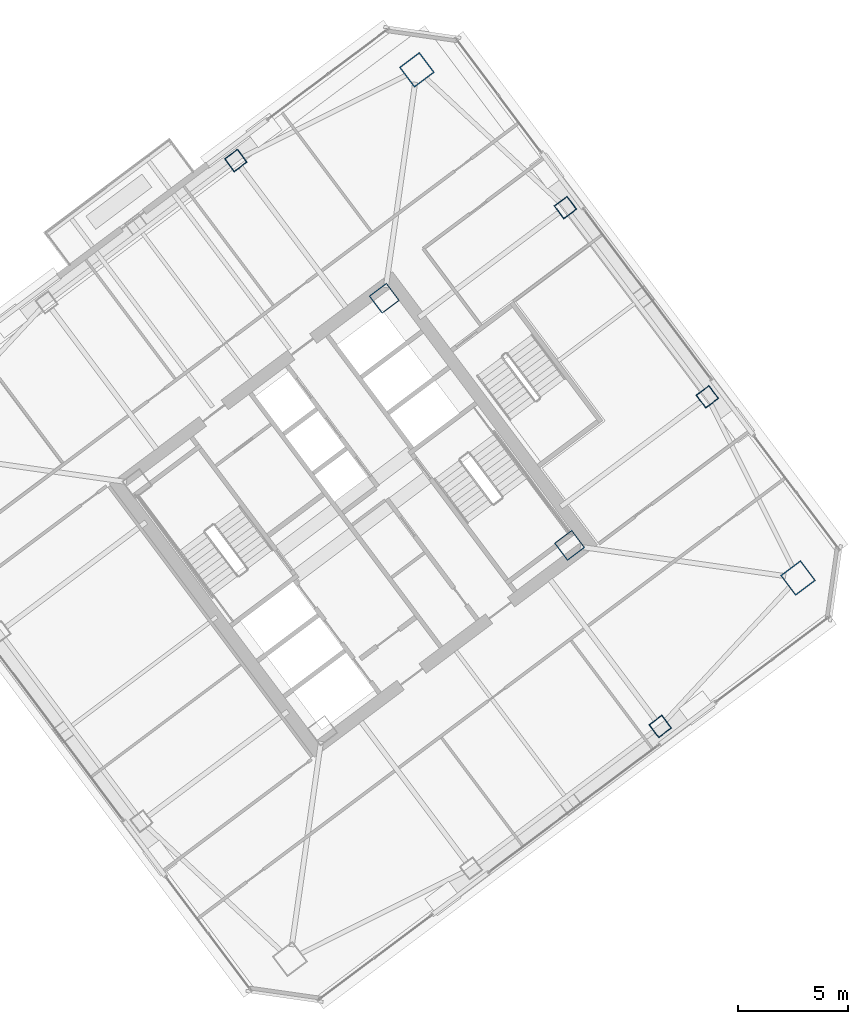
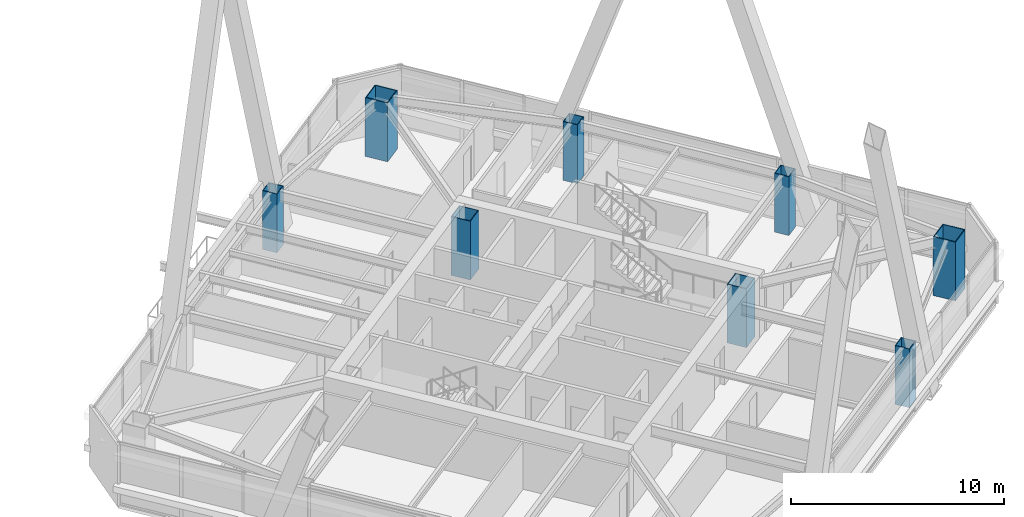
# One storey, part 2 of 55: 8 columns.
"""IFC4 building model written with IfcOpenShell, lengths in metres."""

import ifcopenshell
import ifcopenshell.guid

model = None  # the IFC model being written
_history = None  # IfcOwnerHistory: only IFC2X3 demands one
_inside = {}  # id of a spatial element -> (the spatial element, [elements in it])
_under = {}  # id of a project, library or spatial element -> (it, [spatial elements below it])
_declared = {}  # id of a project -> (the project, [libraries it declares])
_typed = {}  # id of a type object -> (the type object, [elements of that type])
_made_of = {}  # id of a material, layer set ... -> (it, [elements and type objects made of it])


def new_model(schema):
    """Start an empty IFC model of exactly this schema.

    Asked for "IFC4X3", IfcOpenShell would pick the latest addendum, in which some entities
    have other attributes; the version numbers below select the first issue.
    IFC2X3 requires an IfcOwnerHistory on every rooted entity: one is made here for all.
    """
    global model, _history
    if schema == "IFC4X3":
        model = ifcopenshell.file(schema_version=(4, 3, 0, 0))
    else:
        model = ifcopenshell.file(schema=schema)
    _inside.clear()
    _under.clear()
    _declared.clear()
    _typed.clear()
    _made_of.clear()
    _history = None
    if model.schema == "IFC2X3":
        org = make("IfcOrganization", Name="unknown")
        user = make(
            "IfcPersonAndOrganization",
            ThePerson=make("IfcPerson", FamilyName="unknown"),
            TheOrganization=org,
        )
        app = make(
            "IfcApplication",
            ApplicationDeveloper=org,
            Version="unknown",
            ApplicationFullName="unknown",
            ApplicationIdentifier="unknown",
        )
        _history = make(
            "IfcOwnerHistory",
            OwningUser=user,
            OwningApplication=app,
            ChangeAction="ADDED",
            CreationDate=0,
        )
    return model


def make(cls, **values):
    """One entity of the class cls with the attributes given. An attribute that is None is left unset."""
    return model.create_entity(
        cls, **{name: value for name, value in values.items() if value is not None}
    )


def rooted(cls, **values):
    """An entity with a GlobalId (a new one), such as an element, a storey or a relation."""
    return make(cls, GlobalId=ifcopenshell.guid.new(), OwnerHistory=_history, **values)


def si_unit(unit_type, name, prefix=None):
    """IfcSIUnit, for example si_unit("LENGTHUNIT", "METRE", prefix="MILLI")."""
    return make("IfcSIUnit", UnitType=unit_type, Prefix=prefix, Name=name)


def assignment(units):
    """IfcUnitAssignment: the units of a project."""
    return None if units is None else make("IfcUnitAssignment", Units=units)


def point(xyz):
    """IfcCartesianPoint."""
    return None if xyz is None else make("IfcCartesianPoint", Coordinates=xyz)


def direction(xyz):
    """IfcDirection."""
    return None if xyz is None else make("IfcDirection", DirectionRatios=xyz)


def frame(location, z_axis=None, x_axis=None):
    """IfcAxis2Placement3D, a coordinate frame: its origin and axes. An axis left out is left unset."""
    return make(
        "IfcAxis2Placement3D",
        Location=point(location),
        Axis=direction(z_axis),
        RefDirection=direction(x_axis),
    )


def frame_2d(location, x_axis=None):
    """IfcAxis2Placement2D, a coordinate frame in the plane: its origin and x axis."""
    return make(
        "IfcAxis2Placement2D", Location=point(location), RefDirection=direction(x_axis)
    )


def origin():
    """The frame at (0, 0, 0) with its axes left unset."""
    return frame((0.0, 0.0, 0.0))


def origin_2d():
    """The frame at (0, 0) in the plane with its x axis left unset."""
    return frame_2d((0.0, 0.0))


def place(relative_to, where):
    """IfcLocalPlacement: puts the frame where relative to a parent placement (None: the world)."""
    return make(
        "IfcLocalPlacement", PlacementRelTo=relative_to, RelativePlacement=where
    )


def context(
    kind, dimensions, precision=None, world=None, true_north=None, identifier=None
):
    """IfcGeometricRepresentationContext, for example the 3D "Model" context."""
    return make(
        "IfcGeometricRepresentationContext",
        ContextIdentifier=identifier,
        ContextType=kind,
        CoordinateSpaceDimension=dimensions,
        Precision=precision,
        WorldCoordinateSystem=world,
        TrueNorth=true_north,
    )


def subcontext(parent, identifier, kind, view, scale=None):
    """IfcGeometricRepresentationSubContext, for example "Body" below "Model"."""
    return make(
        "IfcGeometricRepresentationSubContext",
        ContextIdentifier=identifier,
        ContextType=kind,
        ParentContext=parent,
        TargetScale=scale,
        TargetView=view,
    )


def project(units=None, contexts=None):
    """IfcProject with its units and contexts."""
    return rooted(
        "IfcProject",
        Name="project",
        RepresentationContexts=contexts,
        UnitsInContext=assignment(units),
    )


def spatial(cls, under=None, at=None, **own):
    """A site, building, storey or space (cls), placed at a placement, below another one or the project."""
    s = rooted(cls, ObjectPlacement=at, **own)
    if under is not None:
        _under.setdefault(under.id(), (under, []))[1].append(s)
    return s


def profile(cls, at=None, kind="AREA", **sizes):
    """A parametric profile (cls). Its sizes go by their IFC names, for example OverallWidth=200.0."""
    return make(cls, ProfileType=kind, Position=at, **sizes)


def hollow_rectangle(**sizes):
    """IfcRectangleHollowProfileDef."""
    return profile("IfcRectangleHollowProfileDef", **sizes)


def extrude(swept, where, along, depth):
    """IfcExtrudedAreaSolid: the profile swept, set in the frame where, extruded along a direction by depth."""
    return make(
        "IfcExtrudedAreaSolid",
        SweptArea=swept,
        Position=where,
        ExtrudedDirection=direction(along),
        Depth=depth,
    )


def shape(context_of_items, identifier, shape_type, items):
    """IfcShapeRepresentation: the items that make up one representation, for example the "Body"."""
    return make(
        "IfcShapeRepresentation",
        ContextOfItems=context_of_items,
        RepresentationIdentifier=identifier,
        RepresentationType=shape_type,
        Items=items,
    )


def material(Name=None, Category=None):
    """IfcMaterial."""
    return make("IfcMaterial", Name=Name, Category=Category)


def material_profile(
    of_material, cross_section, Name=None, Category=None, Priority=None
):
    """IfcMaterialProfile: a cross section and its material."""
    return make(
        "IfcMaterialProfile",
        Name=Name,
        Material=of_material,
        Profile=cross_section,
        Priority=Priority,
        Category=Category,
    )


def profile_set(profiles, Name=None, composite=None):
    """IfcMaterialProfileSet."""
    return make(
        "IfcMaterialProfileSet",
        Name=Name,
        MaterialProfiles=profiles,
        CompositeProfile=composite,
    )


def made_of(thing, what):
    """Note that an element or type object is made of a material, layer set ...; save() writes the relation."""
    if what is not None:
        _made_of.setdefault(what.id(), (what, []))[1].append(thing)
    return thing


def type_object(cls, material=None, **own):
    """A type object (cls), such as IfcWallType, which elements share."""
    return made_of(rooted(cls, **own), material)


def element(
    cls,
    number,
    at=None,
    inside=None,
    cuts=None,
    type_object=None,
    material=None,
    context=None,
    identifier="Body",
    shape_type=None,
    held_by="IfcProductDefinitionShape",
    body=None,
    shapes=None,
    **own,
):
    """One element of the class cls, such as IfcWall. Its Tag is "e" and its number.

    at: its placement. inside: the storey or other place that contains it. cuts: it is an
    opening in that element (IfcRelVoidsElement). A single representation is given by context,
    identifier, shape_type and body (its items); several are given by shapes. held_by: the class
    of the entity that holds the representations. save() writes the other relations.
    """
    e = rooted(cls, Tag="e%d" % number, ObjectPlacement=at, **own)
    if body is not None:
        shapes = [shape(context, identifier, shape_type, body)]
    if shapes is not None:
        e.Representation = make(held_by, Representations=shapes)
    if inside is not None:
        _inside.setdefault(inside.id(), (inside, []))[1].append(e)
    if cuts is not None:
        rooted(
            "IfcRelVoidsElement", RelatingBuildingElement=cuts, RelatedOpeningElement=e
        )
    if type_object is not None:
        _typed.setdefault(type_object.id(), (type_object, []))[1].append(e)
    return made_of(e, material)


def aggregate(whole, parts):
    """IfcRelAggregates: a whole, such as a stair, and the parts it consists of."""
    return rooted("IfcRelAggregates", RelatingObject=whole, RelatedObjects=parts)


def save(model, path):
    """Write the relations noted so far, then the file.

    IfcRelAggregates (storeys below a building ...), IfcRelContainedInSpatialStructure (elements
    in a storey), IfcRelDefinesByType, IfcRelAssociatesMaterial and IfcRelDeclares: one each for
    every whole, place, type object, material and project.
    """
    for whole, parts in _under.values():
        aggregate(whole, parts)
    for where, things in _inside.values():
        rooted(
            "IfcRelContainedInSpatialStructure",
            RelatedElements=things,
            RelatingStructure=where,
        )
    for kind, things in _typed.values():
        rooted("IfcRelDefinesByType", RelatedObjects=things, RelatingType=kind)
    for what, things in _made_of.values():
        rooted("IfcRelAssociatesMaterial", RelatedObjects=things, RelatingMaterial=what)
    for by, libraries in _declared.values():
        rooted("IfcRelDeclares", RelatingContext=by, RelatedDefinitions=libraries)
    model.write(path)


model = new_model("IFC4")

# Units and contexts
model_context = context("Model", 3, precision=1e-05, world=origin(), true_north=direction((0.0, 1.0)))
body_context = subcontext(model_context, "Body", "Model", "MODEL_VIEW")
ifc_project = project(units=[si_unit("LENGTHUNIT", "METRE"), si_unit("AREAUNIT", "SQUARE_METRE"), si_unit("VOLUMEUNIT", "CUBIC_METRE"), si_unit("PLANEANGLEUNIT", "RADIAN"), si_unit("MASSUNIT", "GRAM", prefix="KILO")], contexts=[model_context])

# Site, building, storey
site_placement = place(None, origin())
site = spatial("IfcSite", under=ifc_project, at=site_placement, CompositionType="ELEMENT")
building_placement = place(site_placement, origin())
building = spatial("IfcBuilding", under=site, at=building_placement, Name="Tashvorn Skyway Center", CompositionType="ELEMENT")
storey_placement = place(building_placement, frame((0.0, 0.0, 178.300048828125)))
storey = spatial("IfcBuildingStorey", under=building, at=storey_placement, Name="L48", CompositionType="ELEMENT", Elevation=178.300048828125)

# Columns
ifc_material = material(Name="Steel ASTM A572 Grade 50", Category="steel")
ifc_material_profile_1 = material_profile(ifc_material, hollow_rectangle(XDim=1.0, YDim=1.0, WallThickness=0.0400390625, at=origin_2d()), Name="BOX1000x1000x40")
ifc_profile_set_1 = profile_set([ifc_material_profile_1], Name="Steel ASTM A572 Grade 50")
column_type_1 = type_object("IfcColumnType", Name="COL-BOX1000x1000x40", PredefinedType="COLUMN", material=ifc_profile_set_1)
for number, where, z_axis, x_axis, name in (
    (1, (123.8701171875, 30.590087890625, 0.0), (0.0, 0.0, 1.0), (0.799999996291, 0.600000004945, 0.0), "Tower 2 L48 Core Corner Column CC-SE"),
    (2, (115.409912109375, 41.8701171875, 0.0), (0.0, 0.0, 1.0), (0.799999996291, 0.600000004945, 0.0), "Tower 2 L48 Core Corner Column CC-NE"),
):
    element("IfcColumn", number, at=place(storey_placement, frame(where, z_axis=z_axis, x_axis=x_axis)), inside=storey, type_object=column_type_1, Name=name, PredefinedType="COLUMN", context=body_context, shape_type="SweptSolid", body=[
        extrude(hollow_rectangle(XDim=1.0, YDim=1.0, WallThickness=0.0400390625, at=origin_2d()), origin(), (0.0, 0.0, 1.0), 3.369873046875),
    ])
ifc_material_profile_2 = material_profile(ifc_material, hollow_rectangle(XDim=1.14990234375, YDim=1.14990234375, WallThickness=0.044921875, at=origin_2d()), Name="BOX1150x1150x45")
ifc_profile_set_2 = profile_set([ifc_material_profile_2], Name="Steel ASTM A572 Grade 50")
column_type_2 = type_object("IfcColumnType", Name="COL-BOX1150x1150x45", PredefinedType="COLUMN", material=ifc_profile_set_2)
for number, where, z_axis, x_axis, name in (
    (3, (134.300048828125, 29.10009765625, 0.0), (0.0, 0.0, 1.0), (0.799999996291, 0.600000004945, 0.0), "Tower 2 L48 Mega-Column MC-SE"),
    (4, (116.89990234375, 52.300048828125, 0.0), (0.0, 0.0, 1.0), (0.799999996291, 0.600000004945, 0.0), "Tower 2 L48 Mega-Column MC-NE"),
):
    element("IfcColumn", number, at=place(storey_placement, frame(where, z_axis=z_axis, x_axis=x_axis)), inside=storey, type_object=column_type_2, Name=name, PredefinedType="COLUMN", context=body_context, shape_type="SweptSolid", body=[
        extrude(hollow_rectangle(XDim=1.14990234375, YDim=1.14990234375, WallThickness=0.044921875, at=origin_2d()), origin(), (0.0, 0.0, 1.0), 3.369873046875),
    ])
ifc_material_profile_3 = material_profile(ifc_material, hollow_rectangle(XDim=0.75, YDim=0.75, WallThickness=0.031982421875, at=origin_2d()), Name="BOX750x750x32")
ifc_profile_set_3 = profile_set([ifc_material_profile_3], Name="Steel ASTM A572 Grade 50")
column_type_3 = type_object("IfcColumnType", Name="COL-BOX750x750x32", PredefinedType="COLUMN", material=ifc_profile_set_3)
for number, where, z_axis, x_axis, name in (
    (5, (128.010009765625, 22.320068359375, 0.0), (0.0, 0.0, 1.0), (0.799999996291, 0.600000004945, 0.0), "Tower 2 L48 Perimeter Column FC-S2"),
    (6, (130.159912109375, 37.3701171875, 0.0), (0.0, 0.0, 1.0), (0.799999996291, 0.600000004945, 0.0), "Tower 2 L48 Perimeter Column FC-E1"),
    (7, (123.679931640625, 46.010009765625, 0.0), (0.0, 0.0, 1.0), (0.799999996291, 0.600000004945, 0.0), "Tower 2 L48 Perimeter Column FC-E2"),
    (8, (108.6298828125, 48.159912109375, 0.0), (0.0, 0.0, 1.0), (0.799999996291, 0.600000004945, 0.0), "Tower 2 L48 Perimeter Column FC-N1"),
):
    element("IfcColumn", number, at=place(storey_placement, frame(where, z_axis=z_axis, x_axis=x_axis)), inside=storey, type_object=column_type_3, Name=name, PredefinedType="COLUMN", context=body_context, shape_type="SweptSolid", body=[
        extrude(hollow_rectangle(XDim=0.75, YDim=0.75, WallThickness=0.031982421875, at=origin_2d()), origin(), (0.0, 0.0, 1.0), 3.369873046875),
    ])

save(model, "model.ifc")
